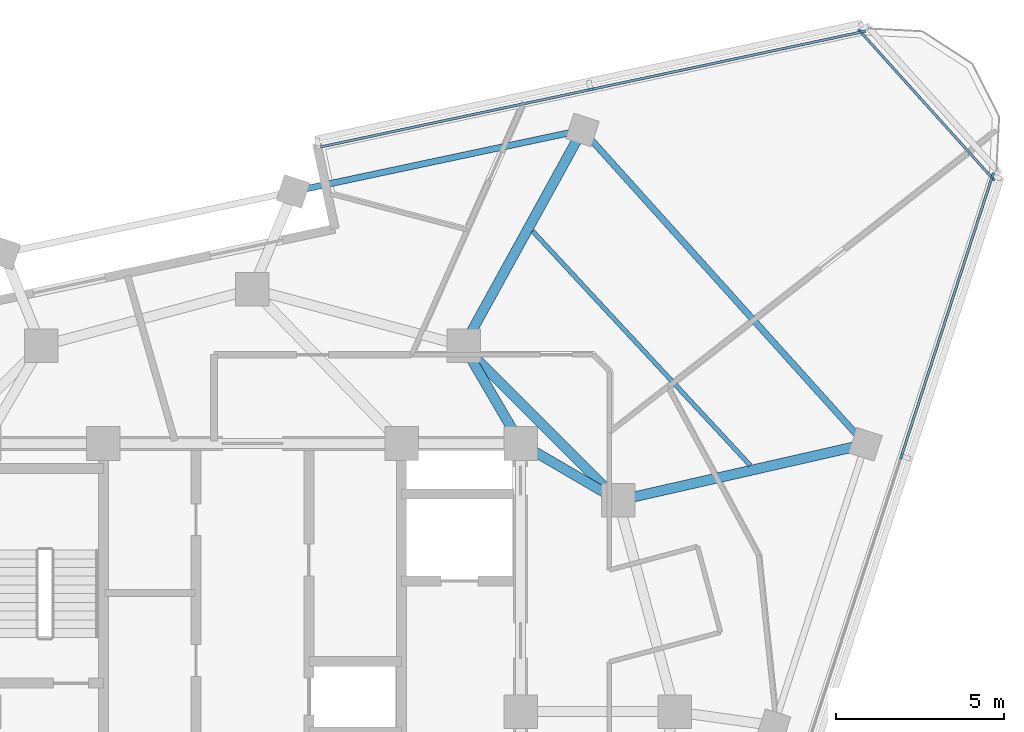
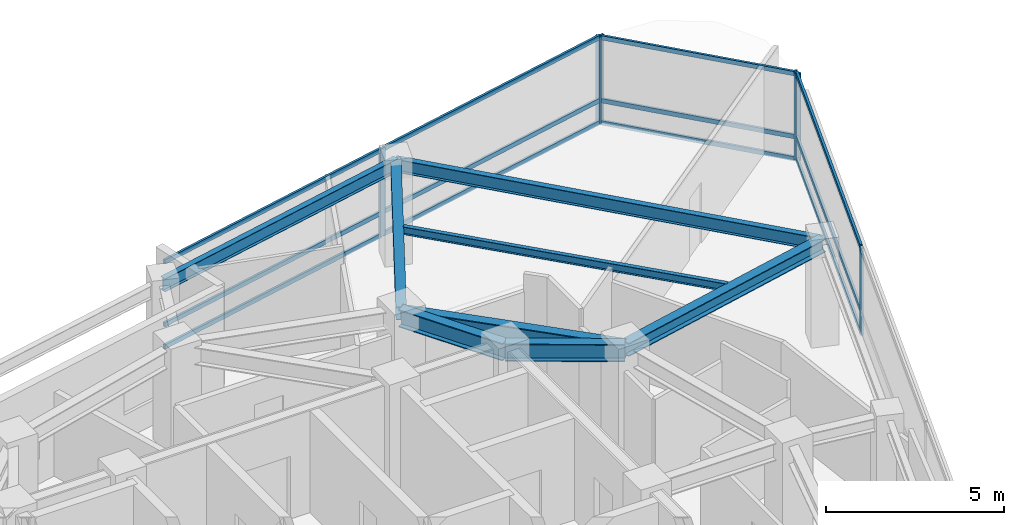
# One storey, part 6 of 15: 18 members, 8 beams, 3 elements without a shape of their own.
"""IFC4 building model written with IfcOpenShell, lengths in metres."""

from ifc_helpers import new_model, si_unit, direction, frame, origin, origin_2d, place, context, subcontext, project, spatial, rectangle, i_section, extrude, material, layer, layer_set, material_profile, profile_set, type_object, element, aggregate, save


model = new_model("IFC4")

# Units and contexts
model_context = context("Model", 3, precision=1e-05, world=origin(), true_north=direction((0.0, 1.0)))
body_context = subcontext(model_context, "Body", "Model", "MODEL_VIEW")
ifc_project = project(units=[si_unit("LENGTHUNIT", "METRE"), si_unit("AREAUNIT", "SQUARE_METRE"), si_unit("VOLUMEUNIT", "CUBIC_METRE"), si_unit("PLANEANGLEUNIT", "RADIAN"), si_unit("MASSUNIT", "GRAM", prefix="KILO")], contexts=[model_context])

# Site, building, storey
site_placement = place(None, origin())
site = spatial("IfcSite", under=ifc_project, at=site_placement, CompositionType="ELEMENT")
building_placement = place(site_placement, origin())
building = spatial("IfcBuilding", under=site, at=building_placement, Name="Terralouvre Media Tower", CompositionType="ELEMENT")
storey_placement = place(building_placement, frame((0.0, 0.0, 294.300048828125)))
storey = spatial("IfcBuildingStorey", under=building, at=storey_placement, Name="L76", CompositionType="ELEMENT", Elevation=294.300048828125)

# Beam
ifc_material_1 = material(Name="Structural steel S355J2", Category="steel")
ifc_material_profile_1 = material_profile(ifc_material_1, i_section(OverallWidth=0.135009765625, OverallDepth=0.27001953125, WebThickness=0.006591796875, FlangeThickness=0.01025390625, at=origin_2d()), Name="IPE 270")
ifc_profile_set_1 = profile_set([ifc_material_profile_1], Name="Structural steel S355J2")
beam_type_1 = type_object("IfcBeamType", Name="Composite Floor Joist J-IPE270 (IPE 270)", PredefinedType="JOIST", material=ifc_profile_set_1)
beam_1_placement = place(storey_placement, frame((14.85107421875, 7.34716796875, 3.364990234375), z_axis=(-0.680613949102, 0.732642240311, 0.0), x_axis=(-0.732642240311, -0.680613949102, 0.0)))
element("IfcBeam", 1, at=beam_1_placement, inside=storey, type_object=beam_type_1, Name="L76 Framing Beam JT-L76-04", PredefinedType="JOIST", context=body_context, shape_type="SweptSolid", body=[
    extrude(i_section(OverallWidth=0.135009765625, OverallDepth=0.27001953125, WebThickness=0.006591796875, FlangeThickness=0.01025390625, at=origin_2d()), origin(), (0.0, 0.0, 1.0), 9.54443359375),
])

# Curtain wall, members
ifc_material_2 = material(Name="Low-iron laminated double glazing with solar-control coating", Category="glass")
ifc_layer_1 = layer(ifc_material_2, 0.1650390625, Name="Faceted Glass-Point Crown Curtain Wall CW-06")
ifc_layer_set_1 = layer_set([ifc_layer_1], Name="Low-iron laminated double glazing with solar-control coating")
curtain_wall_type_1 = type_object("IfcCurtainWallType", Name="Faceted Glass-Point Crown Curtain Wall CW-06", PredefinedType="NOTDEFINED", material=ifc_layer_set_1)
curtain_wall_1_placement = place(storey_placement, origin())
curtain_wall_1 = element("IfcCurtainWall", 2, at=curtain_wall_1_placement, inside=storey, type_object=curtain_wall_type_1, Name="L76 Facade Curtain Wall F0", PredefinedType="NOTDEFINED")
ifc_material_3 = material(Name="Anodised extruded aluminium 6063-T6", Category="aluminium")
ifc_material_profile_2 = material_profile(ifc_material_3, rectangle(XDim=0.074951171875, YDim=0.14990234375, at=origin_2d()), Name="ALU 75x150")
ifc_profile_set_2 = profile_set([ifc_material_profile_2], Name="Anodised extruded aluminium 6063-T6")
member_type_1 = type_object("IfcMemberType", Name="Curtain-Wall Horizontal Transom TR-150", PredefinedType="USERDEFINED", material=ifc_profile_set_2)
member_1_placement = place(storey_placement, frame((19.372314453125, 7.662109375, 0.037353515625), z_axis=(0.309004958377, 0.951060426944, 0.0), x_axis=(-0.951060426944, 0.309004958377, 0.0)))
member_1 = element("IfcMember", 3, at=member_1_placement, type_object=member_type_1, Name="CW-06 transom 5.1", ObjectType="TRANSOM", PredefinedType="USERDEFINED", context=body_context, shape_type="SweptSolid", body=[
    extrude(rectangle(XDim=0.074951171875, YDim=0.14990234375, at=origin_2d()), origin(), (0.0, 0.0, 1.0), 8.71142578125),
])
member_2_placement = place(storey_placement, frame((19.372314453125, 7.662109375, 0.800048828125), z_axis=(0.309004958377, 0.951060426944, 0.0), x_axis=(-0.951060426944, 0.309004958377, 0.0)))
member_2 = element("IfcMember", 4, at=member_2_placement, type_object=member_type_1, Name="CW-06 transom 5.2", ObjectType="TRANSOM", PredefinedType="USERDEFINED", context=body_context, shape_type="SweptSolid", body=[
    extrude(rectangle(XDim=0.074951171875, YDim=0.14990234375, at=origin_2d()), origin(), (0.0, 0.0, 1.0), 8.71142578125),
])
member_3_placement = place(storey_placement, frame((19.372314453125, 7.662109375, 2.96240234375), z_axis=(0.309004958377, 0.951060426944, 0.0), x_axis=(-0.951060426944, 0.309004958377, 0.0)))
member_3 = element("IfcMember", 5, at=member_3_placement, type_object=member_type_1, Name="CW-06 transom 5.3", ObjectType="TRANSOM", PredefinedType="USERDEFINED", context=body_context, shape_type="SweptSolid", body=[
    extrude(rectangle(XDim=0.074951171875, YDim=0.14990234375, at=origin_2d()), origin(), (0.0, 0.0, 1.0), 8.71142578125),
])

curtain_wall_2_placement = place(storey_placement, origin())
curtain_wall_2 = element("IfcCurtainWall", 6, at=curtain_wall_2_placement, inside=storey, type_object=curtain_wall_type_1, Name="L76 Left Flank Curtain Wall F1", PredefinedType="NOTDEFINED")
member_4_placement = place(storey_placement, frame((18.166259765625, 20.2763671875, 0.037353515625), z_axis=(-0.978147598799, -0.207911699918, 0.0), x_axis=(0.207911699918, -0.978147598799, 0.0)))
member_4 = element("IfcMember", 7, at=member_4_placement, type_object=member_type_1, Name="CW-06 transom 1.1", ObjectType="TRANSOM", PredefinedType="USERDEFINED", context=body_context, shape_type="SweptSolid", body=[
    extrude(rectangle(XDim=0.074951171875, YDim=0.14990234375, at=origin_2d()), origin(), (0.0, 0.0, 1.0), 8.217529296875),
])
member_5_placement = place(storey_placement, frame((18.166259765625, 20.2763671875, 0.800048828125), z_axis=(-0.978147598799, -0.207911699918, 0.0), x_axis=(0.207911699918, -0.978147598799, 0.0)))
member_5 = element("IfcMember", 8, at=member_5_placement, type_object=member_type_1, Name="CW-06 transom 1.2", ObjectType="TRANSOM", PredefinedType="USERDEFINED", context=body_context, shape_type="SweptSolid", body=[
    extrude(rectangle(XDim=0.074951171875, YDim=0.14990234375, at=origin_2d()), origin(), (0.0, 0.0, 1.0), 8.217529296875),
])
member_6_placement = place(storey_placement, frame((18.166259765625, 20.2763671875, 2.96240234375), z_axis=(-0.978147598799, -0.207911699918, 0.0), x_axis=(0.207911699918, -0.978147598799, 0.0)))
member_6 = element("IfcMember", 9, at=member_6_placement, type_object=member_type_1, Name="CW-06 transom 1.3", ObjectType="TRANSOM", PredefinedType="USERDEFINED", context=body_context, shape_type="SweptSolid", body=[
    extrude(rectangle(XDim=0.074951171875, YDim=0.14990234375, at=origin_2d()), origin(), (0.0, 0.0, 1.0), 8.217529296875),
])
member_7_placement = place(storey_placement, frame((10.054931640625, 18.55224609375, 0.037353515625), z_axis=(-0.978147598799, -0.207911699918, 0.0), x_axis=(0.207911699918, -0.978147598799, 0.0)))
member_7 = element("IfcMember", 10, at=member_7_placement, type_object=member_type_1, Name="CW-06 transom 2.1", ObjectType="TRANSOM", PredefinedType="USERDEFINED", context=body_context, shape_type="SweptSolid", body=[
    extrude(rectangle(XDim=0.074951171875, YDim=0.14990234375, at=origin_2d()), origin(), (0.0, 0.0, 1.0), 8.217529296875),
])
member_8_placement = place(storey_placement, frame((10.054931640625, 18.55224609375, 0.800048828125), z_axis=(-0.978147598799, -0.207911699918, 0.0), x_axis=(0.207911699918, -0.978147598799, 0.0)))
member_8 = element("IfcMember", 11, at=member_8_placement, type_object=member_type_1, Name="CW-06 transom 2.2", ObjectType="TRANSOM", PredefinedType="USERDEFINED", context=body_context, shape_type="SweptSolid", body=[
    extrude(rectangle(XDim=0.074951171875, YDim=0.14990234375, at=origin_2d()), origin(), (0.0, 0.0, 1.0), 8.217529296875),
])
member_9_placement = place(storey_placement, frame((10.054931640625, 18.55224609375, 2.96240234375), z_axis=(-0.978147598799, -0.207911699918, 0.0), x_axis=(0.207911699918, -0.978147598799, 0.0)))
member_9 = element("IfcMember", 12, at=member_9_placement, type_object=member_type_1, Name="CW-06 transom 2.3", ObjectType="TRANSOM", PredefinedType="USERDEFINED", context=body_context, shape_type="SweptSolid", body=[
    extrude(rectangle(XDim=0.074951171875, YDim=0.14990234375, at=origin_2d()), origin(), (0.0, 0.0, 1.0), 8.217529296875),
])

ifc_material_4 = material(Name="Low-iron laminated double glazing with solar-control coating", Category="glass")
ifc_layer_2 = layer(ifc_material_4, 0.1650390625, Name="Rounded Wind-Corner Curved Glazing CW-04")
ifc_layer_set_2 = layer_set([ifc_layer_2], Name="Low-iron laminated double glazing with solar-control coating")
curtain_wall_type_2 = type_object("IfcCurtainWallType", Name="Rounded Wind-Corner Curved Glazing CW-04", PredefinedType="NOTDEFINED", material=ifc_layer_set_2)
curtain_wall_3_placement = place(storey_placement, origin())
curtain_wall_3 = element("IfcCurtainWall", 13, at=curtain_wall_3_placement, inside=storey, type_object=curtain_wall_type_2, Name="L76 Rounded Wind-Corner Curtain Wall C1", PredefinedType="NOTDEFINED")
member_10_placement = place(storey_placement, frame((22.04736328125, 15.943603515625, 0.037353515625), z_axis=(-0.669127275147, 0.743147824901, 0.0), x_axis=(-0.743147824901, -0.669127275147, 0.0)))
member_10 = element("IfcMember", 14, at=member_10_placement, type_object=member_type_1, Name="CW-04 transom 1.1", ObjectType="TRANSOM", PredefinedType="USERDEFINED", context=body_context, shape_type="SweptSolid", body=[
    extrude(rectangle(XDim=0.074951171875, YDim=0.14990234375, at=origin_2d()), origin(), (0.0, 0.0, 1.0), 5.808349609375),
])
member_11_placement = place(storey_placement, frame((22.04736328125, 15.943603515625, 0.800048828125), z_axis=(-0.669127275147, 0.743147824901, 0.0), x_axis=(-0.743147824901, -0.669127275147, 0.0)))
member_11 = element("IfcMember", 15, at=member_11_placement, type_object=member_type_1, Name="CW-04 transom 1.2", ObjectType="TRANSOM", PredefinedType="USERDEFINED", context=body_context, shape_type="SweptSolid", body=[
    extrude(rectangle(XDim=0.074951171875, YDim=0.14990234375, at=origin_2d()), origin(), (0.0, 0.0, 1.0), 5.808349609375),
])
member_12_placement = place(storey_placement, frame((22.04736328125, 15.943603515625, 2.96240234375), z_axis=(-0.669127275147, 0.743147824901, 0.0), x_axis=(-0.743147824901, -0.669127275147, 0.0)))
member_12 = element("IfcMember", 16, at=member_12_placement, type_object=member_type_1, Name="CW-04 transom 1.3", ObjectType="TRANSOM", PredefinedType="USERDEFINED", context=body_context, shape_type="SweptSolid", body=[
    extrude(rectangle(XDim=0.074951171875, YDim=0.14990234375, at=origin_2d()), origin(), (0.0, 0.0, 1.0), 5.808349609375),
])

# Member
ifc_material_5 = material(Name="Anodised extruded aluminium 6063-T6", Category="aluminium")
ifc_material_profile_3 = material_profile(ifc_material_5, rectangle(XDim=0.074951171875, YDim=0.179931640625, at=origin_2d()), Name="ALU 75x180")
ifc_profile_set_3 = profile_set([ifc_material_profile_3], Name="Anodised extruded aluminium 6063-T6")
member_type_2 = type_object("IfcMemberType", Name="Curtain-Wall Vertical Mullion ML-180", PredefinedType="MULLION", material=ifc_profile_set_3)
member_13_placement = place(storey_placement, frame((19.360595703125, 7.62646484375, 0.0), z_axis=(0.0, 0.0, 1.0), x_axis=(-0.951056507337, 0.309017021946, 0.0)))
member_13 = element("IfcMember", 17, at=member_13_placement, type_object=member_type_2, Name="CW-06 mullion 5", PredefinedType="MULLION", context=body_context, shape_type="SweptSolid", body=[
    extrude(rectangle(XDim=0.074951171875, YDim=0.179931640625, at=origin_2d()), origin(), (0.0, 0.0, 1.0), 3.0),
])

member_14_placement = place(storey_placement, frame((22.075927734375, 15.98291015625, 0.0), z_axis=(0.0, 0.0, 1.0), x_axis=(-0.951056507337, 0.309017021946, 0.0)))
member_14 = element("IfcMember", 18, at=member_14_placement, type_object=member_type_2, Name="CW-06 mullion 6", PredefinedType="MULLION", context=body_context, shape_type="SweptSolid", body=[
    extrude(rectangle(XDim=0.074951171875, YDim=0.179931640625, at=origin_2d()), origin(), (0.0, 0.0, 1.0), 3.0),
])

aggregate(curtain_wall_1, [member_13, member_14, member_1, member_2, member_3])

member_15_placement = place(storey_placement, frame((18.202880859375, 20.2841796875, 0.0), z_axis=(0.0, 0.0, 1.0), x_axis=(0.207911749648, -0.978147588229, 0.0)))
member_15 = element("IfcMember", 19, at=member_15_placement, type_object=member_type_2, Name="CW-06 mullion 1", PredefinedType="MULLION", context=body_context, shape_type="SweptSolid", body=[
    extrude(rectangle(XDim=0.074951171875, YDim=0.179931640625, at=origin_2d()), origin(), (0.0, 0.0, 1.0), 3.0),
])

member_16_placement = place(storey_placement, frame((10.091552734375, 18.56005859375, 0.0), z_axis=(0.0, 0.0, 1.0), x_axis=(0.207911749648, -0.978147588229, 0.0)))
member_16 = element("IfcMember", 20, at=member_16_placement, type_object=member_type_2, Name="CW-06 mullion 2", PredefinedType="MULLION", context=body_context, shape_type="SweptSolid", body=[
    extrude(rectangle(XDim=0.074951171875, YDim=0.179931640625, at=origin_2d()), origin(), (0.0, 0.0, 1.0), 3.0),
])

aggregate(curtain_wall_2, [member_15, member_16, member_4, member_5, member_6, member_7, member_8, member_9])

member_17_placement = place(storey_placement, frame((22.072509765625, 15.915771484375, 0.0), z_axis=(0.0, 0.0, 1.0), x_axis=(-0.743145163279, -0.669130231192, 0.0)))
member_17 = element("IfcMember", 21, at=member_17_placement, type_object=member_type_2, Name="CW-04 mullion 1", PredefinedType="MULLION", context=body_context, shape_type="SweptSolid", body=[
    extrude(rectangle(XDim=0.074951171875, YDim=0.179931640625, at=origin_2d()), origin(), (0.0, 0.0, 1.0), 3.0),
])

member_18_placement = place(storey_placement, frame((18.1357421875, 20.287841796875, 0.0), z_axis=(0.0, 0.0, 1.0), x_axis=(-0.743145163279, -0.669130231192, 0.0)))
member_18 = element("IfcMember", 22, at=member_18_placement, type_object=member_type_2, Name="CW-04 mullion 2", PredefinedType="MULLION", context=body_context, shape_type="SweptSolid", body=[
    extrude(rectangle(XDim=0.074951171875, YDim=0.179931640625, at=origin_2d()), origin(), (0.0, 0.0, 1.0), 3.0),
])

aggregate(curtain_wall_3, [member_17, member_18, member_10, member_11, member_12])

# Beams
ifc_material_6 = material(Name="Structural steel S355J2", Category="steel")
ifc_material_profile_4 = material_profile(ifc_material_6, i_section(OverallWidth=0.18994140625, OverallDepth=0.449951171875, WebThickness=0.009521484375, FlangeThickness=0.0146484375, at=origin_2d()), Name="IPE 450")
ifc_profile_set_4 = profile_set([ifc_material_profile_4], Name="Structural steel S355J2")
beam_type_2 = type_object("IfcBeamType", Name="Perimeter Spandrel Beam SPB-450 (IPE 450)", PredefinedType="SPANDREL", material=ifc_profile_set_4)
beam_2_placement = place(storey_placement, frame((18.285888671875, 7.975830078125, 3.27490234375), z_axis=(-0.669130421256, 0.743144992144, 0.0), x_axis=(-0.743144992144, -0.669130421256, 0.0)))
element("IfcBeam", 23, at=beam_2_placement, inside=storey, type_object=beam_type_2, Name="L76 Framing Beam BM-L76-PR08", PredefinedType="SPANDREL", context=body_context, shape_type="SweptSolid", body=[
    extrude(i_section(OverallWidth=0.18994140625, OverallDepth=0.449951171875, WebThickness=0.009521484375, FlangeThickness=0.0146484375, at=origin_2d()), origin(), (0.0, 0.0, 1.0), 12.616943359375),
])
beam_3_placement = place(storey_placement, frame((9.843505859375, 17.35205078125, 3.27490234375), z_axis=(-0.978151678083, -0.207892507471, 0.0), x_axis=(0.207892507471, -0.978151678083, 0.0)))
element("IfcBeam", 24, at=beam_3_placement, inside=storey, type_object=beam_type_2, Name="L76 Framing Beam BM-L76-PR09", PredefinedType="SPANDREL", context=body_context, shape_type="SweptSolid", body=[
    extrude(i_section(OverallWidth=0.18994140625, OverallDepth=0.449951171875, WebThickness=0.009521484375, FlangeThickness=0.0146484375, at=origin_2d()), origin(), (0.0, 0.0, 1.0), 8.82421875),
])
ifc_material_7 = material(Name="Structural steel S355J2", Category="steel")
ifc_material_profile_5 = material_profile(ifc_material_7, i_section(OverallWidth=0.300048828125, OverallDepth=0.449951171875, WebThickness=0.013916015625, FlangeThickness=0.02587890625, at=origin_2d()), Name="HEB 450")
ifc_profile_set_5 = profile_set([ifc_material_profile_5], Name="Structural steel S355J2")
beam_type_3 = type_object("IfcBeamType", Name="Primary Floor Girder B-HEB450 (HEB 450)", PredefinedType="BEAM", material=ifc_profile_set_5)
beam_4_placement = place(storey_placement, frame((10.911865234375, 6.300048828125, 3.27490234375), z_axis=(0.975136661347, 0.221604358479, 0.0), x_axis=(-0.221604358479, 0.975136661347, 0.0)))
element("IfcBeam", 25, at=beam_4_placement, inside=storey, type_object=beam_type_3, Name="L76 Framing Beam BM-L76-RD08", PredefinedType="BEAM", context=body_context, shape_type="SweptSolid", body=[
    extrude(i_section(OverallWidth=0.300048828125, OverallDepth=0.449951171875, WebThickness=0.013916015625, FlangeThickness=0.02587890625, at=origin_2d()), origin(), (0.0, 0.0, 1.0), 7.56201171875),
])
beam_5_placement = place(storey_placement, frame((6.300048828125, 10.911865234375, 3.27490234375), z_axis=(0.482060267282, 0.876138059159, 0.0), x_axis=(-0.876138059159, 0.482060267282, 0.0)))
element("IfcBeam", 26, at=beam_5_placement, inside=storey, type_object=beam_type_3, Name="L76 Framing Beam BM-L76-RD09", PredefinedType="BEAM", context=body_context, shape_type="SweptSolid", body=[
    extrude(i_section(OverallWidth=0.300048828125, OverallDepth=0.449951171875, WebThickness=0.013916015625, FlangeThickness=0.02587890625, at=origin_2d()), origin(), (0.0, 0.0, 1.0), 7.3505859375),
])
ifc_material_8 = material(Name="Structural steel S460M", Category="steel")
ifc_material_profile_6 = material_profile(ifc_material_8, i_section(OverallWidth=0.300048828125, OverallDepth=0.60009765625, WebThickness=0.015380859375, FlangeThickness=0.030029296875, at=origin_2d()), Name="HEB 600")
ifc_profile_set_6 = profile_set([ifc_material_profile_6], Name="Structural steel S460M")
beam_type_4 = type_object("IfcBeamType", Name="Primary Floor Girder B-HEB600 (HEB 600)", PredefinedType="BEAM", material=ifc_profile_set_6)
beam_6_placement = place(storey_placement, frame((10.911865234375, 6.300048828125, 3.199951171875), z_axis=(-0.707106781187, 0.707106781187, 0.0), x_axis=(-0.707106781187, -0.707106781187, 0.0)))
element("IfcBeam", 27, at=beam_6_placement, inside=storey, type_object=beam_type_4, Name="L76 Framing Beam BM-L76-MR07", PredefinedType="BEAM", context=body_context, shape_type="SweptSolid", body=[
    extrude(i_section(OverallWidth=0.300048828125, OverallDepth=0.60009765625, WebThickness=0.015380859375, FlangeThickness=0.030029296875, at=origin_2d()), origin(), (0.0, 0.0, 1.0), 6.52197265625),
])
for number, where, z_axis, x_axis, name in (
    (28, (8.0, 8.0, 3.199951171875), (0.863602894532, -0.504172629717, 0.0), (0.504172629717, 0.863602894532, 0.0), "L76 Framing Beam BM-L76-CM07"),
    (29, (8.0, 8.0, 3.199951171875), (-0.504172629717, 0.863602894532, 0.0), (-0.863602894532, -0.504172629717, 0.0), "L76 Framing Beam BM-L76-CM08"),
):
    element("IfcBeam", number, at=place(storey_placement, frame(where, z_axis=z_axis, x_axis=x_axis)), inside=storey, type_object=beam_type_4, Name=name, PredefinedType="BEAM", context=body_context, shape_type="SweptSolid", body=[
        extrude(i_section(OverallWidth=0.300048828125, OverallDepth=0.60009765625, WebThickness=0.015380859375, FlangeThickness=0.030029296875, at=origin_2d()), origin(), (0.0, 0.0, 1.0), 3.371826171875),
    ])

save(model, "model.ifc")
